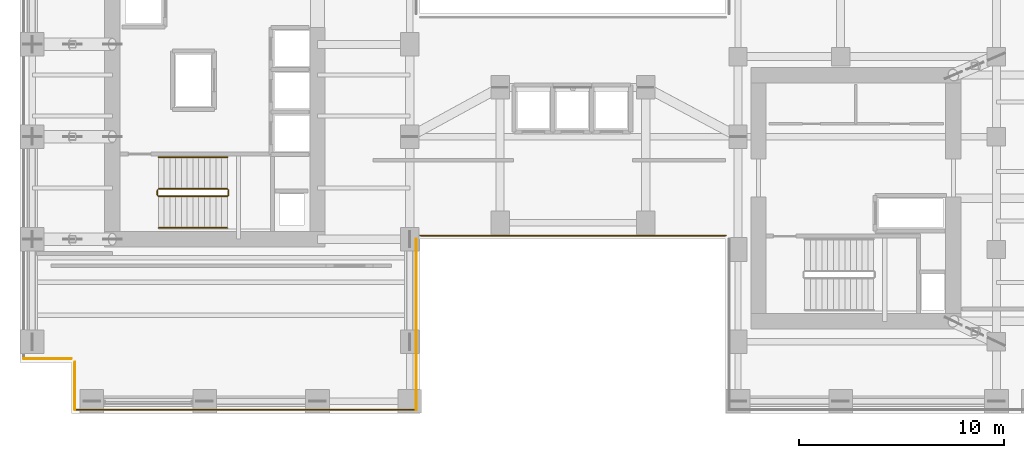
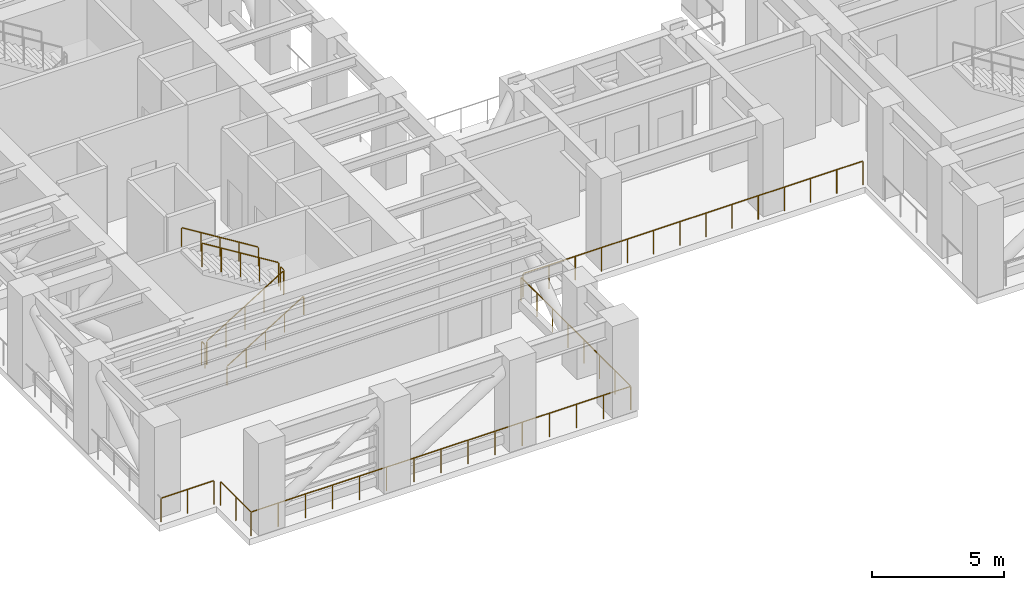
# One storey, part 12 of 16: 11 railings.
"""IFC4 building model written with IfcOpenShell, lengths in metres."""

from ifc_helpers import new_model, si_unit, direction, frame, origin, origin_2d, place, context, subcontext, project, spatial, circle, extrude, source, transform, mapped, material, layer, layer_set, type_object, element, save


model = new_model("IFC4")

# Units and contexts
model_context = context("Model", 3, precision=1e-05, world=origin(), true_north=direction((0.0, 1.0)))
body_context = subcontext(model_context, "Body", "Model", "MODEL_VIEW")
ifc_project = project(units=[si_unit("LENGTHUNIT", "METRE"), si_unit("AREAUNIT", "SQUARE_METRE"), si_unit("VOLUMEUNIT", "CUBIC_METRE"), si_unit("PLANEANGLEUNIT", "RADIAN"), si_unit("MASSUNIT", "GRAM", prefix="KILO")], contexts=[model_context])

# Site, building, storey
site_placement = place(None, origin())
site = spatial("IfcSite", under=ifc_project, at=site_placement, CompositionType="ELEMENT")
building_placement = place(site_placement, origin())
building = spatial("IfcBuilding", under=site, at=building_placement, Name="Kharzan Plaza Tower", CompositionType="ELEMENT")
storey_placement = place(building_placement, frame((0.0, 0.0, 138.60009765625)))
storey = spatial("IfcBuildingStorey", under=building, at=storey_placement, Name="L37", CompositionType="ELEMENT", Elevation=138.60009765625)

# Railings
ifc_material_1 = material(Name="Painted Galvanized Architectural Steel", Category="steel")
ifc_layer_1 = layer(ifc_material_1, 0.074951171875)
ifc_layer_set_1 = layer_set([ifc_layer_1], Name="Painted Galvanized Architectural Steel")
railing_type_1 = type_object("IfcRailingType", Name="RL-GUARD-1120", PredefinedType="BALUSTRADE", material=ifc_layer_set_1)
shared_shape_1 = source(origin(), body_context, "Body", "SweptSolid", [
    extrude(circle(Radius=0.02392578125, at=origin_2d()), frame((0.0224609375, 0.0, 1.10986328125), z_axis=(0.850623216509, 0.0, 0.525775754039), x_axis=(0.0, 1.0, 0.0)), (0.0, 0.0, 1.0), 3.897216796875),
    extrude(circle(Radius=0.02099609375, at=origin_2d()), origin(), (0.0, 0.0, 1.0), 1.072021484375),
    extrude(circle(Radius=0.02099609375, at=origin_2d()), frame((0.840087890625, 0.0, 0.519287109375)), (0.0, 0.0, 1.0), 1.072021484375),
    extrude(circle(Radius=0.02099609375, at=origin_2d()), frame((1.68017578125, 0.0, 1.03857421875)), (0.0, 0.0, 1.0), 1.072021484375),
    extrude(circle(Radius=0.02099609375, at=origin_2d()), frame((2.52001953125, 0.0, 1.5576171875)), (0.0, 0.0, 1.0), 1.072021484375),
    extrude(circle(Radius=0.02099609375, at=origin_2d()), frame((3.360107421875, 0.0, 2.076904296875)), (0.0, 0.0, 1.0), 1.072021484375),
])
railing_1_placement = place(storey_placement, frame((6.75, 10.60009765625, 0.173095703125)))
element("IfcRailing", 1, at=railing_1_placement, inside=storey, type_object=railing_type_1, Name="L37 ST-1 stair guard 1", PredefinedType="BALUSTRADE", context=body_context, shape_type="MappedRepresentation", body=[
    mapped(shared_shape_1, transform((0.0, 0.0, 0.0), x_axis=(1.0, 0.0, 0.0), y_axis=(0.0, 1.0, 0.0), z_axis=(0.0, 0.0, 1.0))),
])
shared_shape_2 = source(origin(), body_context, "Body", "SweptSolid", [
    extrude(circle(Radius=0.02392578125, at=origin_2d()), frame((0.0, 0.0263671875, 1.09619140625), z_axis=(0.0, 1.0, 0.0), x_axis=(-1.0, 0.0, 0.0)), (0.0, 0.0, 1.0), 0.197021484375),
    extrude(circle(Radius=0.02099609375, at=origin_2d()), origin(), (0.0, 0.0, 1.0), 1.072021484375),
    extrude(circle(Radius=0.02099609375, at=origin_2d()), frame((0.0, 0.25, 0.0)), (0.0, 0.0, 1.0), 1.072021484375),
])
for number, where, name in (
    (2, (10.159912109375, 10.64990234375, 2.25), "L37 ST-1 stair guard 2"),
    (3, (6.699951171875, 10.64990234375, 0.0), "L37 ST-1 stair guard 4"),
):
    element("IfcRailing", number, at=place(storey_placement, frame(where)), inside=storey, type_object=railing_type_1, Name=name, PredefinedType="BALUSTRADE", context=body_context, shape_type="MappedRepresentation", body=[
        mapped(shared_shape_2, transform((0.0, 0.0, 0.0), x_axis=(1.0, 0.0, 0.0), y_axis=(0.0, 1.0, 0.0), z_axis=(0.0, 0.0, 1.0))),
    ])
shared_shape_3 = source(origin(), body_context, "Body", "SweptSolid", [
    extrude(circle(Radius=0.02392578125, at=origin_2d()), frame((-0.0224609375, 0.0, 1.10986328125), z_axis=(-0.850623216509, 0.0, 0.525775754039), x_axis=(0.0, -1.0, 0.0)), (0.0, 0.0, 1.0), 3.897216796875),
    extrude(circle(Radius=0.02099609375, at=origin_2d()), origin(), (0.0, 0.0, 1.0), 1.072021484375),
    extrude(circle(Radius=0.02099609375, at=origin_2d()), frame((-0.840087890625, 0.0, 0.519287109375)), (0.0, 0.0, 1.0), 1.072021484375),
    extrude(circle(Radius=0.02099609375, at=origin_2d()), frame((-1.68017578125, 0.0, 1.03857421875)), (0.0, 0.0, 1.0), 1.072021484375),
    extrude(circle(Radius=0.02099609375, at=origin_2d()), frame((-2.52001953125, 0.0, 1.5576171875)), (0.0, 0.0, 1.0), 1.072021484375),
    extrude(circle(Radius=0.02099609375, at=origin_2d()), frame((-3.360107421875, 0.0, 2.076904296875)), (0.0, 0.0, 1.0), 1.072021484375),
])
railing_2_placement = place(storey_placement, frame((10.110107421875, 10.949951171875, 2.423095703125)))
element("IfcRailing", 4, at=railing_2_placement, inside=storey, type_object=railing_type_1, Name="L37 ST-1 stair guard 3", PredefinedType="BALUSTRADE", context=body_context, shape_type="MappedRepresentation", body=[
    mapped(shared_shape_3, transform((0.0, 0.0, 0.0), x_axis=(1.0, 0.0, 0.0), y_axis=(0.0, 1.0, 0.0), z_axis=(0.0, 0.0, 1.0))),
])
ifc_material_2 = material(Name="Brushed Stainless Steel", Category="steel")
ifc_layer_2 = layer(ifc_material_2, 0.050048828125)
ifc_layer_set_2 = layer_set([ifc_layer_2], Name="Brushed Stainless Steel")
railing_type_2 = type_object("IfcRailingType", Name="RL-STAIR-HR920", PredefinedType="HANDRAIL", material=ifc_layer_set_2)
shared_shape_4 = source(origin(), body_context, "Body", "SweptSolid", [
    extrude(circle(Radius=0.02392578125, at=origin_2d()), frame((0.0224609375, 0.0, 0.8896484375), z_axis=(0.850623216509, 0.0, 0.525775754039), x_axis=(0.0, 1.0, 0.0)), (0.0, 0.0, 1.0), 3.897216796875),
    extrude(circle(Radius=0.02099609375, at=origin_2d()), origin(), (0.0, 0.0, 1.0), 0.851806640625),
    extrude(circle(Radius=0.02099609375, at=origin_2d()), frame((0.840087890625, 0.0, 0.519287109375)), (0.0, 0.0, 1.0), 0.851806640625),
    extrude(circle(Radius=0.02099609375, at=origin_2d()), frame((1.68017578125, 0.0, 1.03857421875)), (0.0, 0.0, 1.0), 0.851806640625),
    extrude(circle(Radius=0.02099609375, at=origin_2d()), frame((2.52001953125, 0.0, 1.5576171875)), (0.0, 0.0, 1.0), 0.851806640625),
    extrude(circle(Radius=0.02099609375, at=origin_2d()), frame((3.360107421875, 0.0, 2.076904296875)), (0.0, 0.0, 1.0), 0.851806640625),
])
railing_3_placement = place(storey_placement, frame((6.75, 9.050048828125, 0.173095703125)))
element("IfcRailing", 5, at=railing_3_placement, inside=storey, type_object=railing_type_2, Name="L37 ST-1 stair handrail 1", PredefinedType="HANDRAIL", context=body_context, shape_type="MappedRepresentation", body=[
    mapped(shared_shape_4, transform((0.0, 0.0, 0.0), x_axis=(1.0, 0.0, 0.0), y_axis=(0.0, 1.0, 0.0), z_axis=(0.0, 0.0, 1.0))),
])
shared_shape_5 = source(origin(), body_context, "Body", "SweptSolid", [
    extrude(circle(Radius=0.02392578125, at=origin_2d()), frame((-0.0224609375, 0.0, 0.8896484375), z_axis=(-0.850623216509, 0.0, 0.525775754039), x_axis=(0.0, -1.0, 0.0)), (0.0, 0.0, 1.0), 3.897216796875),
    extrude(circle(Radius=0.02099609375, at=origin_2d()), origin(), (0.0, 0.0, 1.0), 0.851806640625),
    extrude(circle(Radius=0.02099609375, at=origin_2d()), frame((-0.840087890625, 0.0, 0.519287109375)), (0.0, 0.0, 1.0), 0.851806640625),
    extrude(circle(Radius=0.02099609375, at=origin_2d()), frame((-1.68017578125, 0.0, 1.03857421875)), (0.0, 0.0, 1.0), 0.851806640625),
    extrude(circle(Radius=0.02099609375, at=origin_2d()), frame((-2.52001953125, 0.0, 1.5576171875)), (0.0, 0.0, 1.0), 0.851806640625),
    extrude(circle(Radius=0.02099609375, at=origin_2d()), frame((-3.360107421875, 0.0, 2.076904296875)), (0.0, 0.0, 1.0), 0.851806640625),
])
railing_4_placement = place(storey_placement, frame((10.110107421875, 12.5, 2.423095703125)))
element("IfcRailing", 6, at=railing_4_placement, inside=storey, type_object=railing_type_2, Name="L37 ST-1 stair handrail 2", PredefinedType="HANDRAIL", context=body_context, shape_type="MappedRepresentation", body=[
    mapped(shared_shape_5, transform((0.0, 0.0, 0.0), x_axis=(1.0, 0.0, 0.0), y_axis=(0.0, 1.0, 0.0), z_axis=(0.0, 0.0, 1.0))),
])
shared_shape_6 = source(origin(), body_context, "Body", "SweptSolid", [
    extrude(circle(Radius=0.02392578125, at=origin_2d()), frame((0.0, 0.0263671875, 1.09619140625), z_axis=(0.0, 1.0, 0.0), x_axis=(-1.0, 0.0, 0.0)), (0.0, 0.0, 1.0), 2.26708984375),
    extrude(circle(Radius=0.02099609375, at=origin_2d()), origin(), (0.0, 0.0, 1.0), 1.072021484375),
    extrude(circle(Radius=0.02099609375, at=origin_2d()), frame((0.0, 1.16015625, 0.0)), (0.0, 0.0, 1.0), 1.072021484375),
    extrude(circle(Radius=0.02099609375, at=origin_2d()), frame((0.0, 2.320068359375, 0.0)), (0.0, 0.0, 1.0), 1.072021484375),
])
railing_5_placement = place(storey_placement, frame((2.679931640625, 0.179931640625, 0.0)))
element("IfcRailing", 7, at=railing_5_placement, inside=storey, type_object=railing_type_1, Name="L37 Open Refuge Floor Perimeter Guard 77", PredefinedType="BALUSTRADE", context=body_context, shape_type="MappedRepresentation", body=[
    mapped(shared_shape_6, transform((0.0, 0.0, 0.0), x_axis=(1.0, 0.0, 0.0), y_axis=(0.0, 1.0, 0.0), z_axis=(0.0, 0.0, 1.0))),
])
shared_shape_7 = source(origin(), body_context, "Body", "SweptSolid", [
    extrude(circle(Radius=0.02392578125, at=origin_2d()), frame((-0.0263671875, 0.0, 1.09619140625), z_axis=(-1.0, 0.0, 0.0), x_axis=(0.0, -1.0, 0.0)), (0.0, 0.0, 1.0), 2.26708984375),
    extrude(circle(Radius=0.02099609375, at=origin_2d()), origin(), (0.0, 0.0, 1.0), 1.072021484375),
    extrude(circle(Radius=0.02099609375, at=origin_2d()), frame((-1.16015625, 0.0, 0.0)), (0.0, 0.0, 1.0), 1.072021484375),
    extrude(circle(Radius=0.02099609375, at=origin_2d()), frame((-2.320068359375, 0.0, 0.0)), (0.0, 0.0, 1.0), 1.072021484375),
])
railing_6_placement = place(storey_placement, frame((2.5, 2.679931640625, 0.0)))
element("IfcRailing", 8, at=railing_6_placement, inside=storey, type_object=railing_type_1, Name="L37 Open Refuge Floor Perimeter Guard 94", PredefinedType="BALUSTRADE", context=body_context, shape_type="MappedRepresentation", body=[
    mapped(shared_shape_7, transform((0.0, 0.0, 0.0), x_axis=(1.0, 0.0, 0.0), y_axis=(0.0, 1.0, 0.0), z_axis=(0.0, 0.0, 1.0))),
])
shared_shape_8 = source(origin(), body_context, "Body", "SweptSolid", [
    extrude(circle(Radius=0.02392578125, at=origin_2d()), frame((-0.0263671875, 0.0, 1.09619140625), z_axis=(-1.0, 0.0, 0.0), x_axis=(0.0, -1.0, 0.0)), (0.0, 0.0, 1.0), 14.846923828125),
    extrude(circle(Radius=0.02099609375, at=origin_2d()), origin(), (0.0, 0.0, 1.0), 1.072021484375),
    extrude(circle(Radius=0.02099609375, at=origin_2d()), frame((-1.146240234375, 0.0, 0.0)), (0.0, 0.0, 1.0), 1.072021484375),
    extrude(circle(Radius=0.02099609375, at=origin_2d()), frame((-2.292236328125, 0.0, 0.0)), (0.0, 0.0, 1.0), 1.072021484375),
    extrude(circle(Radius=0.02099609375, at=origin_2d()), frame((-3.4384765625, 0.0, 0.0)), (0.0, 0.0, 1.0), 1.072021484375),
    extrude(circle(Radius=0.02099609375, at=origin_2d()), frame((-4.58447265625, 0.0, 0.0)), (0.0, 0.0, 1.0), 1.072021484375),
    extrude(circle(Radius=0.02099609375, at=origin_2d()), frame((-5.730712890625, 0.0, 0.0)), (0.0, 0.0, 1.0), 1.072021484375),
    extrude(circle(Radius=0.02099609375, at=origin_2d()), frame((-6.876953125, 0.0, 0.0)), (0.0, 0.0, 1.0), 1.072021484375),
    extrude(circle(Radius=0.02099609375, at=origin_2d()), frame((-8.02294921875, 0.0, 0.0)), (0.0, 0.0, 1.0), 1.072021484375),
    extrude(circle(Radius=0.02099609375, at=origin_2d()), frame((-9.169189453125, 0.0, 0.0)), (0.0, 0.0, 1.0), 1.072021484375),
    extrude(circle(Radius=0.02099609375, at=origin_2d()), frame((-10.3154296875, 0.0, 0.0)), (0.0, 0.0, 1.0), 1.072021484375),
    extrude(circle(Radius=0.02099609375, at=origin_2d()), frame((-11.46142578125, 0.0, 0.0)), (0.0, 0.0, 1.0), 1.072021484375),
    extrude(circle(Radius=0.02099609375, at=origin_2d()), frame((-12.607666015625, 0.0, 0.0)), (0.0, 0.0, 1.0), 1.072021484375),
    extrude(circle(Radius=0.02099609375, at=origin_2d()), frame((-13.753662109375, 0.0, 0.0)), (0.0, 0.0, 1.0), 1.072021484375),
    extrude(circle(Radius=0.02099609375, at=origin_2d()), frame((-14.89990234375, 0.0, 0.0)), (0.0, 0.0, 1.0), 1.072021484375),
])
railing_7_placement = place(storey_placement, frame((34.39990234375, 8.679931640625, 0.0)))
element("IfcRailing", 9, at=railing_7_placement, inside=storey, type_object=railing_type_1, Name="L37 Open Refuge Floor Perimeter Guard 58", PredefinedType="BALUSTRADE", context=body_context, shape_type="MappedRepresentation", body=[
    mapped(shared_shape_8, transform((0.0, 0.0, 0.0), x_axis=(1.0, 0.0, 0.0), y_axis=(0.0, 1.0, 0.0), z_axis=(0.0, 0.0, 1.0))),
])
shared_shape_9 = source(origin(), body_context, "Body", "SweptSolid", [
    extrude(circle(Radius=0.02392578125, at=origin_2d()), frame((0.0, -0.0263671875, 1.09619140625), z_axis=(0.0, -1.0, 0.0), x_axis=(1.0, 0.0, 0.0)), (0.0, 0.0, 1.0), 8.26708984375),
    extrude(circle(Radius=0.02099609375, at=origin_2d()), origin(), (0.0, 0.0, 1.0), 1.072021484375),
    extrude(circle(Radius=0.02099609375, at=origin_2d()), frame((0.0, -1.1884765625, 0.0)), (0.0, 0.0, 1.0), 1.072021484375),
    extrude(circle(Radius=0.02099609375, at=origin_2d()), frame((0.0, -2.377197265625, 0.0)), (0.0, 0.0, 1.0), 1.072021484375),
    extrude(circle(Radius=0.02099609375, at=origin_2d()), frame((0.0, -3.565673828125, 0.0)), (0.0, 0.0, 1.0), 1.072021484375),
    extrude(circle(Radius=0.02099609375, at=origin_2d()), frame((0.0, -4.75439453125, 0.0)), (0.0, 0.0, 1.0), 1.072021484375),
    extrude(circle(Radius=0.02099609375, at=origin_2d()), frame((0.0, -5.94287109375, 0.0)), (0.0, 0.0, 1.0), 1.072021484375),
    extrude(circle(Radius=0.02099609375, at=origin_2d()), frame((0.0, -7.131591796875, 0.0)), (0.0, 0.0, 1.0), 1.072021484375),
    extrude(circle(Radius=0.02099609375, at=origin_2d()), frame((0.0, -8.320068359375, 0.0)), (0.0, 0.0, 1.0), 1.072021484375),
])
railing_8_placement = place(storey_placement, frame((19.320068359375, 8.5, 0.0)))
element("IfcRailing", 10, at=railing_8_placement, inside=storey, type_object=railing_type_1, Name="L37 Open Refuge Floor Perimeter Guard 75", PredefinedType="BALUSTRADE", context=body_context, shape_type="MappedRepresentation", body=[
    mapped(shared_shape_9, transform((0.0, 0.0, 0.0), x_axis=(1.0, 0.0, 0.0), y_axis=(0.0, 1.0, 0.0), z_axis=(0.0, 0.0, 1.0))),
])
shared_shape_10 = source(origin(), body_context, "Body", "SweptSolid", [
    extrude(circle(Radius=0.02392578125, at=origin_2d()), frame((-0.0263671875, 0.0, 1.09619140625), z_axis=(-1.0, 0.0, 0.0), x_axis=(0.0, -1.0, 0.0)), (0.0, 0.0, 1.0), 16.587158203125),
    extrude(circle(Radius=0.02099609375, at=origin_2d()), origin(), (0.0, 0.0, 1.0), 1.072021484375),
    extrude(circle(Radius=0.02099609375, at=origin_2d()), frame((-1.1884765625, 0.0, 0.0)), (0.0, 0.0, 1.0), 1.072021484375),
    extrude(circle(Radius=0.02099609375, at=origin_2d()), frame((-2.377197265625, 0.0, 0.0)), (0.0, 0.0, 1.0), 1.072021484375),
    extrude(circle(Radius=0.02099609375, at=origin_2d()), frame((-3.565673828125, 0.0, 0.0)), (0.0, 0.0, 1.0), 1.072021484375),
    extrude(circle(Radius=0.02099609375, at=origin_2d()), frame((-4.75439453125, 0.0, 0.0)), (0.0, 0.0, 1.0), 1.072021484375),
    extrude(circle(Radius=0.02099609375, at=origin_2d()), frame((-5.94287109375, 0.0, 0.0)), (0.0, 0.0, 1.0), 1.072021484375),
    extrude(circle(Radius=0.02099609375, at=origin_2d()), frame((-7.131591796875, 0.0, 0.0)), (0.0, 0.0, 1.0), 1.072021484375),
    extrude(circle(Radius=0.02099609375, at=origin_2d()), frame((-8.320068359375, 0.0, 0.0)), (0.0, 0.0, 1.0), 1.072021484375),
    extrude(circle(Radius=0.02099609375, at=origin_2d()), frame((-9.508544921875, 0.0, 0.0)), (0.0, 0.0, 1.0), 1.072021484375),
    extrude(circle(Radius=0.02099609375, at=origin_2d()), frame((-10.697265625, 0.0, 0.0)), (0.0, 0.0, 1.0), 1.072021484375),
    extrude(circle(Radius=0.02099609375, at=origin_2d()), frame((-11.8857421875, 0.0, 0.0)), (0.0, 0.0, 1.0), 1.072021484375),
    extrude(circle(Radius=0.02099609375, at=origin_2d()), frame((-13.074462890625, 0.0, 0.0)), (0.0, 0.0, 1.0), 1.072021484375),
    extrude(circle(Radius=0.02099609375, at=origin_2d()), frame((-14.262939453125, 0.0, 0.0)), (0.0, 0.0, 1.0), 1.072021484375),
    extrude(circle(Radius=0.02099609375, at=origin_2d()), frame((-15.45166015625, 0.0, 0.0)), (0.0, 0.0, 1.0), 1.072021484375),
    extrude(circle(Radius=0.02099609375, at=origin_2d()), frame((-16.64013671875, 0.0, 0.0)), (0.0, 0.0, 1.0), 1.072021484375),
])
railing_9_placement = place(storey_placement, frame((19.320068359375, 0.179931640625, 0.0)))
element("IfcRailing", 11, at=railing_9_placement, inside=storey, type_object=railing_type_1, Name="L37 Open Refuge Floor Perimeter Guard 76", PredefinedType="BALUSTRADE", context=body_context, shape_type="MappedRepresentation", body=[
    mapped(shared_shape_10, transform((0.0, 0.0, 0.0), x_axis=(1.0, 0.0, 0.0), y_axis=(0.0, 1.0, 0.0), z_axis=(0.0, 0.0, 1.0))),
])

save(model, "model.ifc")
